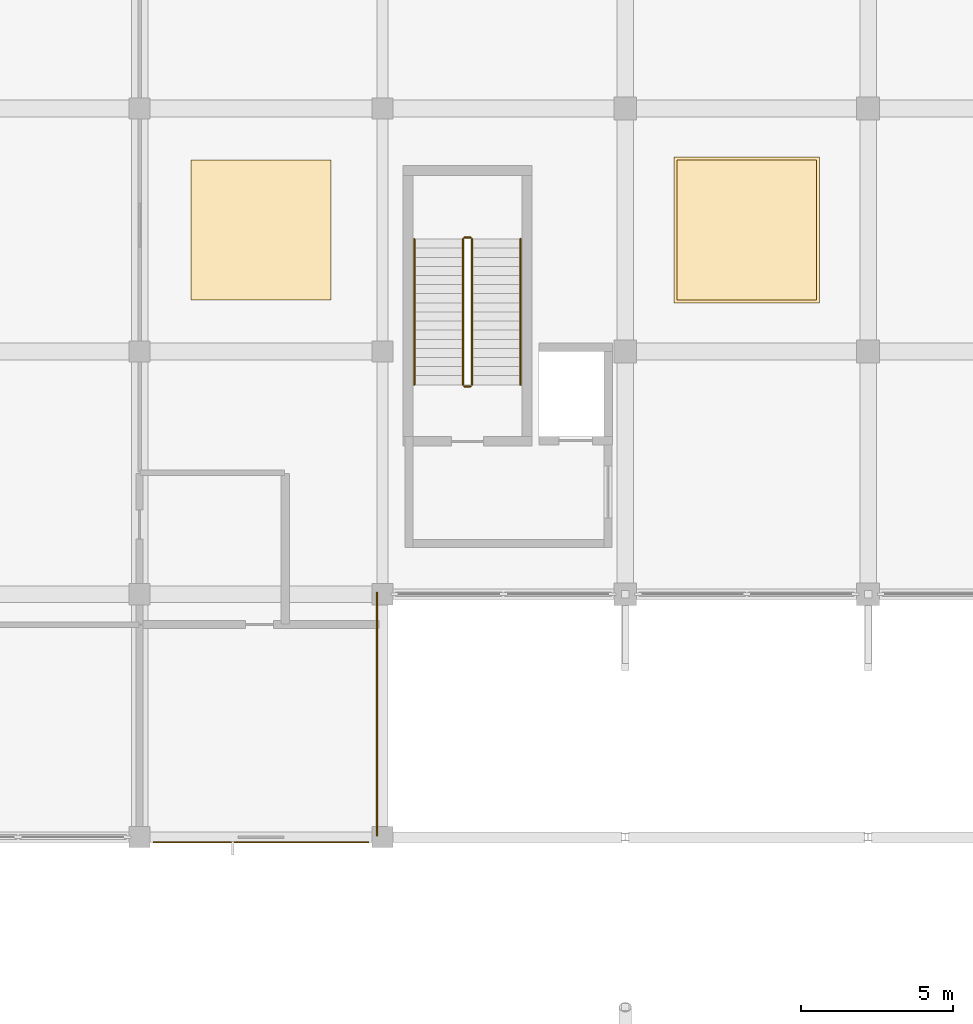
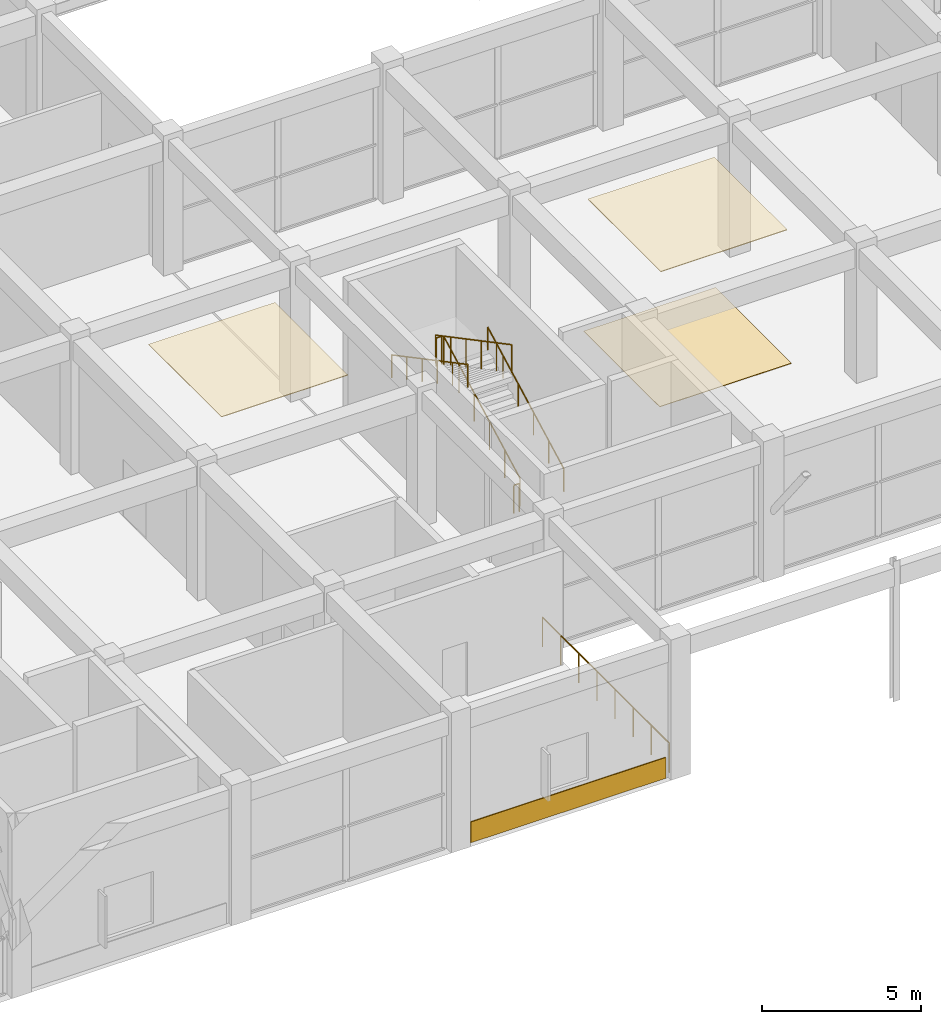
# One storey, part 59 of 69: 7 railings, 4 coverings.
"""IFC4 building model written with IfcOpenShell, lengths in metres."""

from ifc_helpers import new_model, si_unit, direction, frame, origin, origin_2d, place, context, subcontext, project, spatial, rectangle, circle, extrude, material, layer, layer_set, type_object, element, save


model = new_model("IFC4")

# Units and contexts
model_context = context("Model", 3, precision=1e-05, world=origin(), true_north=direction((0.0, 1.0)))
body_context = subcontext(model_context, "Body", "Model", "MODEL_VIEW")
ifc_project = project(units=[si_unit("LENGTHUNIT", "METRE"), si_unit("AREAUNIT", "SQUARE_METRE"), si_unit("VOLUMEUNIT", "CUBIC_METRE"), si_unit("PLANEANGLEUNIT", "RADIAN"), si_unit("MASSUNIT", "GRAM", prefix="KILO")], contexts=[model_context])

# Site, building, storey
site_placement = place(None, origin())
site = spatial("IfcSite", under=ifc_project, at=site_placement, CompositionType="ELEMENT")
building_placement = place(site_placement, origin())
building = spatial("IfcBuilding", under=site, at=building_placement, Name="Kenh Van Central Station", CompositionType="ELEMENT")
storey_placement = place(building_placement, frame((0.0, 0.0, 5.39990234375)))
storey = spatial("IfcBuildingStorey", under=building, at=storey_placement, Name="L01", CompositionType="ELEMENT", Elevation=5.39990234375)

# Coverings
ifc_material_1 = material(Name="Perforated acoustic mineral ceiling board")
ifc_layer_1 = layer(ifc_material_1, 0.02490234375, Name="Perforated acoustic mineral ceiling board")
ifc_layer_set_1 = layer_set([ifc_layer_1], Name="Perforated acoustic mineral ceiling board")
covering_type_1 = type_object("IfcCoveringType", Name="COV-CEIL-ACOUST", PredefinedType="CEILING", material=ifc_layer_set_1)
for number, where, z_axis, x_axis, name in (
    (1, (60.0, 28.0, 5.107177734375), (0.0, 0.0, 1.0), (1.0, 0.0, 0.0), "L01 acoustic ceiling panel 031"),
    (2, (44.0, 28.0, 5.1171875), (0.0, 0.0, 1.0), (1.0, 0.0, 0.0), "L01 acoustic ceiling panel 036"),
):
    element("IfcCovering", number, at=place(storey_placement, frame(where, z_axis=z_axis, x_axis=x_axis)), inside=storey, type_object=covering_type_1, Name=name, PredefinedType="CEILING", context=body_context, shape_type="SweptSolid", body=[
        extrude(rectangle(XDim=4.60009765625, YDim=4.60009765625, at=origin_2d()), origin(), (0.0, 0.0, 1.0), 0.02490234375),
    ])
ifc_material_2 = material(Name="Saigon buff sandstone cladding", Category="masonry")
ifc_layer_2 = layer(ifc_material_2, 0.0400390625, Name="Saigon buff sandstone cladding")
ifc_layer_set_2 = layer_set([ifc_layer_2], Name="Saigon buff sandstone cladding")
covering_type_2 = type_object("IfcCoveringType", Name="COV-CLAD-BUFF", PredefinedType="CLADDING", material=ifc_layer_set_2)
covering_1_placement = place(storey_placement, frame((44.0, 7.830078125, 0.02001953125), z_axis=(0.0, 0.0, 1.0), x_axis=(1.0, 0.0, 0.0)))
element("IfcCovering", 3, at=covering_1_placement, inside=storey, type_object=covering_type_2, Name="L01 facade cladding 023", PredefinedType="CLADDING", context=body_context, shape_type="SweptSolid", body=[
    extrude(rectangle(XDim=7.10009765625, YDim=0.0400390625, at=origin_2d()), origin(), (0.0, 0.0, 1.0), 0.800048828125),
])
ifc_material_3 = material(Name="Polished station granite terrazzo", Category="masonry")
ifc_layer_3 = layer(ifc_material_3, 0.02001953125, Name="Polished station granite terrazzo")
ifc_layer_set_3 = layer_set([ifc_layer_3], Name="Polished station granite terrazzo")
covering_type_3 = type_object("IfcCoveringType", Name="COV-FLR-GRANITE", PredefinedType="FLOORING", material=ifc_layer_set_3)
covering_2_placement = place(storey_placement, frame((60.0, 28.0, 0.0), z_axis=(0.0, 0.0, 1.0), x_axis=(1.0, 0.0, 0.0)))
element("IfcCovering", 4, at=covering_2_placement, inside=storey, type_object=covering_type_3, Name="L01 granite floor finish 040", PredefinedType="FLOORING", context=body_context, shape_type="SweptSolid", body=[
    extrude(rectangle(XDim=4.800048828125, YDim=4.800048828125, at=origin_2d()), origin(), (0.0, 0.0, 1.0), 0.02001953125),
])

# Railings
ifc_material_4 = material(Name="Champagne anodised aluminium", Category="aluminium")
railing_type_1 = type_object("IfcRailingType", Name="RAIL-CORE-GRD110", PredefinedType="GUARDRAIL", material=ifc_material_4)
railing_1_placement = place(storey_placement, frame((50.949951171875, 22.89990234375, 0.158935546875)))
element("IfcRailing", 5, at=railing_1_placement, inside=storey, type_object=railing_type_1, Name="L01 ST-03 stair guard 1", PredefinedType="GUARDRAIL", context=body_context, shape_type="SweptSolid", body=[
    extrude(circle(Radius=0.02392578125, at=origin_2d()), frame((0.0, 0.0, 1.076171875), z_axis=(0.0, 0.883783542688, 0.467895981682), x_axis=(-1.0, 0.0, 0.0)), (0.0, 0.0, 1.0), 5.43115234375),
    extrude(circle(Radius=0.02099609375, at=origin_2d()), origin(), (0.0, 0.0, 1.0), 1.052001953125),
    extrude(circle(Radius=0.02099609375, at=origin_2d()), frame((0.0, 0.9599609375, 0.50830078125)), (0.0, 0.0, 1.0), 1.052001953125),
    extrude(circle(Radius=0.02099609375, at=origin_2d()), frame((0.0, 1.919921875, 1.0166015625)), (0.0, 0.0, 1.0), 1.052001953125),
    extrude(circle(Radius=0.02099609375, at=origin_2d()), frame((0.0, 2.880126953125, 1.524658203125)), (0.0, 0.0, 1.0), 1.052001953125),
    extrude(circle(Radius=0.02099609375, at=origin_2d()), frame((0.0, 3.840087890625, 2.032958984375)), (0.0, 0.0, 1.0), 1.052001953125),
    extrude(circle(Radius=0.02099609375, at=origin_2d()), frame((0.0, 4.800048828125, 2.541259765625)), (0.0, 0.0, 1.0), 1.052001953125),
])
railing_2_placement = place(storey_placement, frame((50.89990234375, 27.75, 2.7001953125)))
element("IfcRailing", 6, at=railing_2_placement, inside=storey, type_object=railing_type_1, Name="L01 ST-03 stair guard 2", PredefinedType="GUARDRAIL", context=body_context, shape_type="SweptSolid", body=[
    extrude(circle(Radius=0.02392578125, at=origin_2d()), frame((0.0, 0.0, 1.076171875), z_axis=(-1.0, 0.0, 0.0), x_axis=(0.0, -1.0, 0.0)), (0.0, 0.0, 1.0), 0.199951171875),
    extrude(circle(Radius=0.02099609375, at=origin_2d()), origin(), (0.0, 0.0, 1.0), 1.052001953125),
    extrude(circle(Radius=0.02099609375, at=origin_2d()), frame((-0.199951171875, 0.0, 0.0)), (0.0, 0.0, 1.0), 1.052001953125),
])
railing_3_placement = place(storey_placement, frame((50.64990234375, 27.699951171875, 2.85888671875)))
element("IfcRailing", 7, at=railing_3_placement, inside=storey, type_object=railing_type_1, Name="L01 ST-03 stair guard 3", PredefinedType="GUARDRAIL", context=body_context, shape_type="SweptSolid", body=[
    extrude(circle(Radius=0.02392578125, at=origin_2d()), frame((0.0, 0.0, 1.076171875), z_axis=(0.0, -0.883783542688, 0.467895981682), x_axis=(1.0, 0.0, 0.0)), (0.0, 0.0, 1.0), 5.43115234375),
    extrude(circle(Radius=0.02099609375, at=origin_2d()), origin(), (0.0, 0.0, 1.0), 1.052001953125),
    extrude(circle(Radius=0.02099609375, at=origin_2d()), frame((0.0, -0.9599609375, 0.50830078125)), (0.0, 0.0, 1.0), 1.052001953125),
    extrude(circle(Radius=0.02099609375, at=origin_2d()), frame((0.0, -1.919921875, 1.0166015625)), (0.0, 0.0, 1.0), 1.052001953125),
    extrude(circle(Radius=0.02099609375, at=origin_2d()), frame((0.0, -2.880126953125, 1.524658203125)), (0.0, 0.0, 1.0), 1.052001953125),
    extrude(circle(Radius=0.02099609375, at=origin_2d()), frame((0.0, -3.840087890625, 2.032958984375)), (0.0, 0.0, 1.0), 1.052001953125),
    extrude(circle(Radius=0.02099609375, at=origin_2d()), frame((0.0, -4.800048828125, 2.541259765625)), (0.0, 0.0, 1.0), 1.052001953125),
])
railing_4_placement = place(storey_placement, frame((50.89990234375, 22.85009765625, 0.0)))
element("IfcRailing", 8, at=railing_4_placement, inside=storey, type_object=railing_type_1, Name="L01 ST-03 stair guard 4", PredefinedType="GUARDRAIL", context=body_context, shape_type="SweptSolid", body=[
    extrude(circle(Radius=0.02392578125, at=origin_2d()), frame((0.0, 0.0, 1.076171875), z_axis=(-1.0, 0.0, 0.0), x_axis=(0.0, -1.0, 0.0)), (0.0, 0.0, 1.0), 0.199951171875),
    extrude(circle(Radius=0.02099609375, at=origin_2d()), origin(), (0.0, 0.0, 1.0), 1.052001953125),
    extrude(circle(Radius=0.02099609375, at=origin_2d()), frame((-0.199951171875, 0.0, 0.0)), (0.0, 0.0, 1.0), 1.052001953125),
])
railing_type_2 = type_object("IfcRailingType", Name="RAIL-CORE-HND90", PredefinedType="HANDRAIL", material=ifc_material_4)
railing_5_placement = place(storey_placement, frame((52.550048828125, 22.89990234375, 0.158935546875)))
element("IfcRailing", 9, at=railing_5_placement, inside=storey, type_object=railing_type_2, Name="L01 ST-03 stair handrail 1", PredefinedType="HANDRAIL", context=body_context, shape_type="SweptSolid", body=[
    extrude(circle(Radius=0.02392578125, at=origin_2d()), frame((0.0, 0.0, 0.8759765625), z_axis=(0.0, 0.883783542688, 0.467895981682), x_axis=(-1.0, 0.0, 0.0)), (0.0, 0.0, 1.0), 5.43115234375),
    extrude(circle(Radius=0.02099609375, at=origin_2d()), origin(), (0.0, 0.0, 1.0), 0.851806640625),
    extrude(circle(Radius=0.02099609375, at=origin_2d()), frame((0.0, 0.9599609375, 0.50830078125)), (0.0, 0.0, 1.0), 0.851806640625),
    extrude(circle(Radius=0.02099609375, at=origin_2d()), frame((0.0, 1.919921875, 1.0166015625)), (0.0, 0.0, 1.0), 0.851806640625),
    extrude(circle(Radius=0.02099609375, at=origin_2d()), frame((0.0, 2.880126953125, 1.524658203125)), (0.0, 0.0, 1.0), 0.851806640625),
    extrude(circle(Radius=0.02099609375, at=origin_2d()), frame((0.0, 3.840087890625, 2.032958984375)), (0.0, 0.0, 1.0), 0.851806640625),
    extrude(circle(Radius=0.02099609375, at=origin_2d()), frame((0.0, 4.800048828125, 2.541259765625)), (0.0, 0.0, 1.0), 0.851806640625),
])
railing_6_placement = place(storey_placement, frame((49.050048828125, 27.699951171875, 2.85888671875)))
element("IfcRailing", 10, at=railing_6_placement, inside=storey, type_object=railing_type_2, Name="L01 ST-03 stair handrail 2", PredefinedType="HANDRAIL", context=body_context, shape_type="SweptSolid", body=[
    extrude(circle(Radius=0.02392578125, at=origin_2d()), frame((0.0, 0.0, 0.8759765625), z_axis=(0.0, -0.883783542688, 0.467895981682), x_axis=(1.0, 0.0, 0.0)), (0.0, 0.0, 1.0), 5.43115234375),
    extrude(circle(Radius=0.02099609375, at=origin_2d()), origin(), (0.0, 0.0, 1.0), 0.851806640625),
    extrude(circle(Radius=0.02099609375, at=origin_2d()), frame((0.0, -0.9599609375, 0.50830078125)), (0.0, 0.0, 1.0), 0.851806640625),
    extrude(circle(Radius=0.02099609375, at=origin_2d()), frame((0.0, -1.919921875, 1.0166015625)), (0.0, 0.0, 1.0), 0.851806640625),
    extrude(circle(Radius=0.02099609375, at=origin_2d()), frame((0.0, -2.880126953125, 1.524658203125)), (0.0, 0.0, 1.0), 0.851806640625),
    extrude(circle(Radius=0.02099609375, at=origin_2d()), frame((0.0, -3.840087890625, 2.032958984375)), (0.0, 0.0, 1.0), 0.851806640625),
    extrude(circle(Radius=0.02099609375, at=origin_2d()), frame((0.0, -4.800048828125, 2.541259765625)), (0.0, 0.0, 1.0), 0.851806640625),
])
railing_type_3 = type_object("IfcRailingType", Name="RAIL-TERR-GRD115", PredefinedType="GUARDRAIL", material=ifc_material_4)
railing_7_placement = place(storey_placement, frame((47.820068359375, 8.050048828125, 0.0)))
element("IfcRailing", 11, at=railing_7_placement, inside=storey, type_object=railing_type_3, Name="L01 west retail east slab-edge guardrail", PredefinedType="GUARDRAIL", context=body_context, shape_type="SweptSolid", body=[
    extrude(circle(Radius=0.02392578125, at=origin_2d()), frame((0.0, 0.0, 1.1259765625), z_axis=(0.0, 1.0, 0.0), x_axis=(-1.0, 0.0, 0.0)), (0.0, 0.0, 1.0), 8.0),
    extrude(circle(Radius=0.02099609375, at=origin_2d()), origin(), (0.0, 0.0, 1.0), 1.101806640625),
    extrude(circle(Radius=0.02099609375, at=origin_2d()), frame((0.0, 1.142822265625, 0.0)), (0.0, 0.0, 1.0), 1.101806640625),
    extrude(circle(Radius=0.02099609375, at=origin_2d()), frame((0.0, 2.28564453125, 0.0)), (0.0, 0.0, 1.0), 1.101806640625),
    extrude(circle(Radius=0.02099609375, at=origin_2d()), frame((0.0, 3.428466796875, 0.0)), (0.0, 0.0, 1.0), 1.101806640625),
    extrude(circle(Radius=0.02099609375, at=origin_2d()), frame((0.0, 4.571533203125, 0.0)), (0.0, 0.0, 1.0), 1.101806640625),
    extrude(circle(Radius=0.02099609375, at=origin_2d()), frame((0.0, 5.71435546875, 0.0)), (0.0, 0.0, 1.0), 1.101806640625),
    extrude(circle(Radius=0.02099609375, at=origin_2d()), frame((0.0, 6.857177734375, 0.0)), (0.0, 0.0, 1.0), 1.101806640625),
    extrude(circle(Radius=0.02099609375, at=origin_2d()), frame((0.0, 8.0, 0.0)), (0.0, 0.0, 1.0), 1.101806640625),
])

save(model, "model.ifc")
